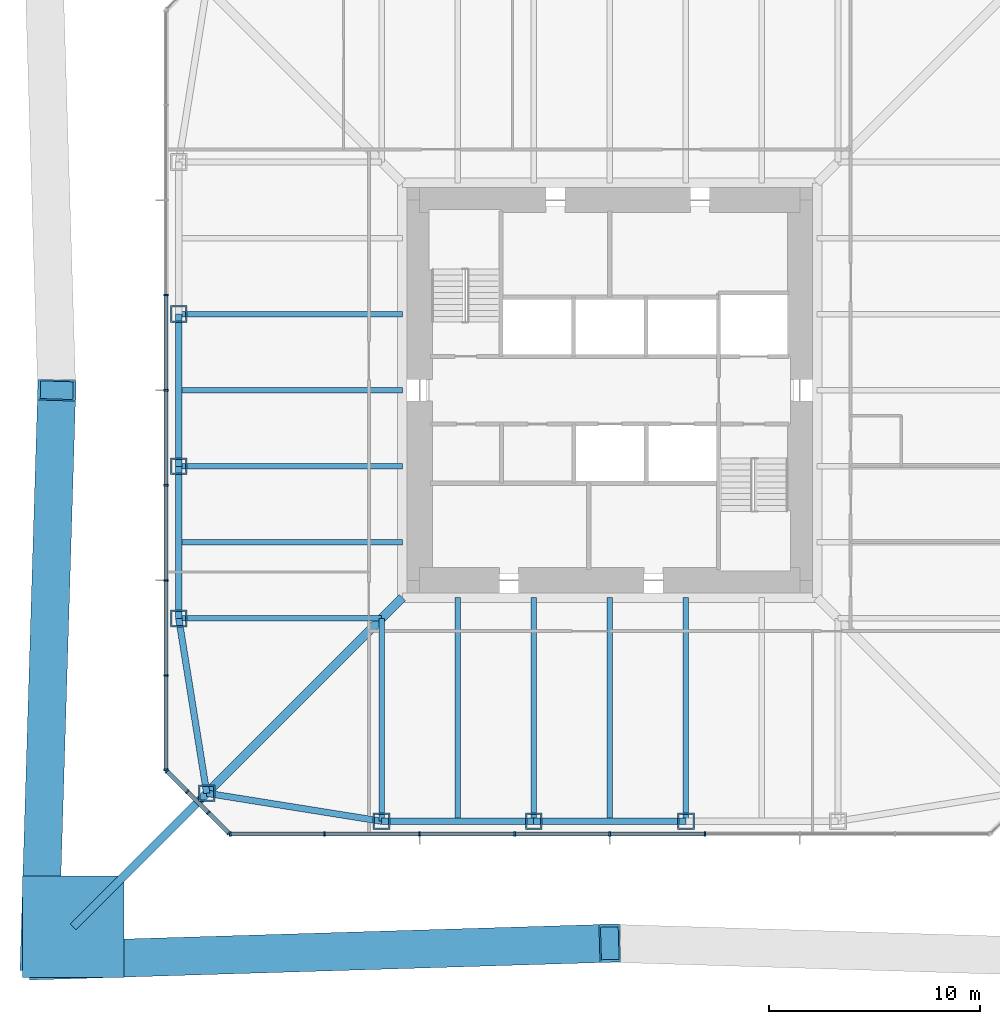
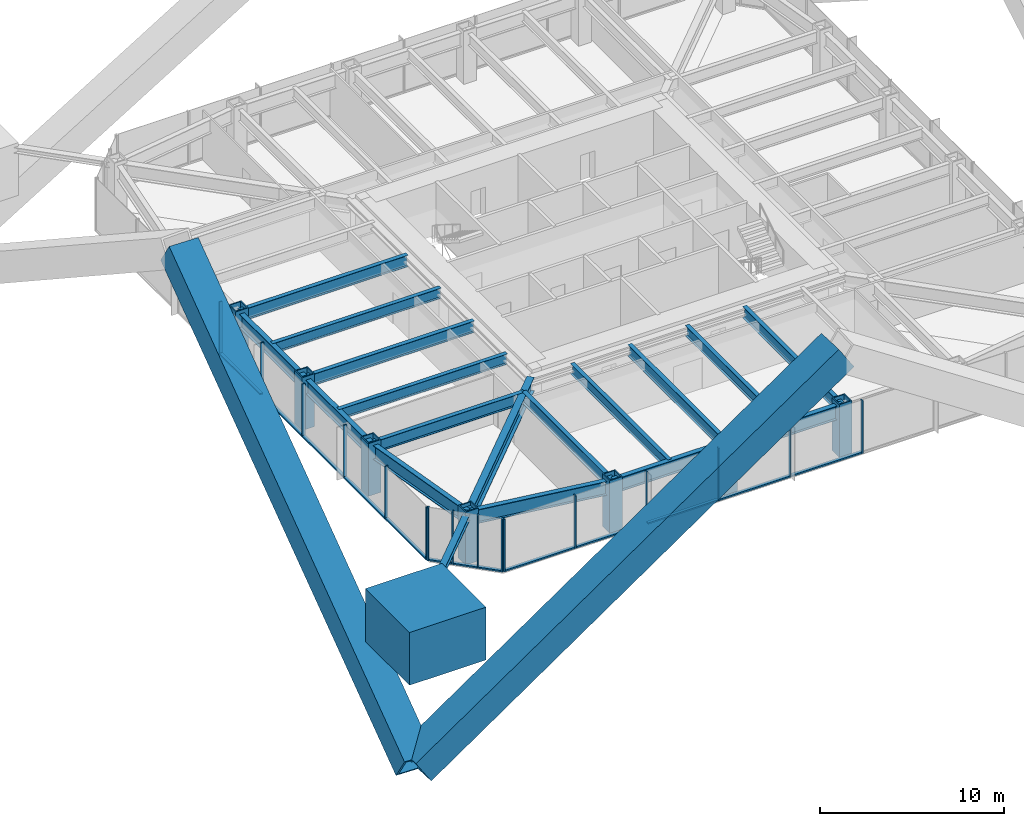
# One storey, part 1 of 21: 40 members, 17 beams, 3 elements without a shape of their own.
"""IFC4 building model written with IfcOpenShell, lengths in metres."""

import ifcopenshell
import ifcopenshell.guid

model = None  # the IFC model being written
_history = None  # IfcOwnerHistory: only IFC2X3 demands one
_inside = {}  # id of a spatial element -> (the spatial element, [elements in it])
_under = {}  # id of a project, library or spatial element -> (it, [spatial elements below it])
_declared = {}  # id of a project -> (the project, [libraries it declares])
_typed = {}  # id of a type object -> (the type object, [elements of that type])
_made_of = {}  # id of a material, layer set ... -> (it, [elements and type objects made of it])


def new_model(schema):
    """Start an empty IFC model of exactly this schema.

    Asked for "IFC4X3", IfcOpenShell would pick the latest addendum, in which some entities
    have other attributes; the version numbers below select the first issue.
    IFC2X3 requires an IfcOwnerHistory on every rooted entity: one is made here for all.
    """
    global model, _history
    if schema == "IFC4X3":
        model = ifcopenshell.file(schema_version=(4, 3, 0, 0))
    else:
        model = ifcopenshell.file(schema=schema)
    _inside.clear()
    _under.clear()
    _declared.clear()
    _typed.clear()
    _made_of.clear()
    _history = None
    if model.schema == "IFC2X3":
        org = make("IfcOrganization", Name="unknown")
        user = make(
            "IfcPersonAndOrganization",
            ThePerson=make("IfcPerson", FamilyName="unknown"),
            TheOrganization=org,
        )
        app = make(
            "IfcApplication",
            ApplicationDeveloper=org,
            Version="unknown",
            ApplicationFullName="unknown",
            ApplicationIdentifier="unknown",
        )
        _history = make(
            "IfcOwnerHistory",
            OwningUser=user,
            OwningApplication=app,
            ChangeAction="ADDED",
            CreationDate=0,
        )
    return model


def make(cls, **values):
    """One entity of the class cls with the attributes given. An attribute that is None is left unset."""
    return model.create_entity(
        cls, **{name: value for name, value in values.items() if value is not None}
    )


def rooted(cls, **values):
    """An entity with a GlobalId (a new one), such as an element, a storey or a relation."""
    return make(cls, GlobalId=ifcopenshell.guid.new(), OwnerHistory=_history, **values)


def si_unit(unit_type, name, prefix=None):
    """IfcSIUnit, for example si_unit("LENGTHUNIT", "METRE", prefix="MILLI")."""
    return make("IfcSIUnit", UnitType=unit_type, Prefix=prefix, Name=name)


def assignment(units):
    """IfcUnitAssignment: the units of a project."""
    return None if units is None else make("IfcUnitAssignment", Units=units)


def point(xyz):
    """IfcCartesianPoint."""
    return None if xyz is None else make("IfcCartesianPoint", Coordinates=xyz)


def direction(xyz):
    """IfcDirection."""
    return None if xyz is None else make("IfcDirection", DirectionRatios=xyz)


def frame(location, z_axis=None, x_axis=None):
    """IfcAxis2Placement3D, a coordinate frame: its origin and axes. An axis left out is left unset."""
    return make(
        "IfcAxis2Placement3D",
        Location=point(location),
        Axis=direction(z_axis),
        RefDirection=direction(x_axis),
    )


def frame_2d(location, x_axis=None):
    """IfcAxis2Placement2D, a coordinate frame in the plane: its origin and x axis."""
    return make(
        "IfcAxis2Placement2D", Location=point(location), RefDirection=direction(x_axis)
    )


def origin():
    """The frame at (0, 0, 0) with its axes left unset."""
    return frame((0.0, 0.0, 0.0))


def origin_2d():
    """The frame at (0, 0) in the plane with its x axis left unset."""
    return frame_2d((0.0, 0.0))


def place(relative_to, where):
    """IfcLocalPlacement: puts the frame where relative to a parent placement (None: the world)."""
    return make(
        "IfcLocalPlacement", PlacementRelTo=relative_to, RelativePlacement=where
    )


def context(
    kind, dimensions, precision=None, world=None, true_north=None, identifier=None
):
    """IfcGeometricRepresentationContext, for example the 3D "Model" context."""
    return make(
        "IfcGeometricRepresentationContext",
        ContextIdentifier=identifier,
        ContextType=kind,
        CoordinateSpaceDimension=dimensions,
        Precision=precision,
        WorldCoordinateSystem=world,
        TrueNorth=true_north,
    )


def subcontext(parent, identifier, kind, view, scale=None):
    """IfcGeometricRepresentationSubContext, for example "Body" below "Model"."""
    return make(
        "IfcGeometricRepresentationSubContext",
        ContextIdentifier=identifier,
        ContextType=kind,
        ParentContext=parent,
        TargetScale=scale,
        TargetView=view,
    )


def project(units=None, contexts=None):
    """IfcProject with its units and contexts."""
    return rooted(
        "IfcProject",
        Name="project",
        RepresentationContexts=contexts,
        UnitsInContext=assignment(units),
    )


def spatial(cls, under=None, at=None, **own):
    """A site, building, storey or space (cls), placed at a placement, below another one or the project."""
    s = rooted(cls, ObjectPlacement=at, **own)
    if under is not None:
        _under.setdefault(under.id(), (under, []))[1].append(s)
    return s


def profile(cls, at=None, kind="AREA", **sizes):
    """A parametric profile (cls). Its sizes go by their IFC names, for example OverallWidth=200.0."""
    return make(cls, ProfileType=kind, Position=at, **sizes)


def rectangle(**sizes):
    """IfcRectangleProfileDef."""
    return profile("IfcRectangleProfileDef", **sizes)


def hollow_rectangle(**sizes):
    """IfcRectangleHollowProfileDef."""
    return profile("IfcRectangleHollowProfileDef", **sizes)


def i_section(**sizes):
    """IfcIShapeProfileDef."""
    return profile("IfcIShapeProfileDef", **sizes)


def extrude(swept, where, along, depth):
    """IfcExtrudedAreaSolid: the profile swept, set in the frame where, extruded along a direction by depth."""
    return make(
        "IfcExtrudedAreaSolid",
        SweptArea=swept,
        Position=where,
        ExtrudedDirection=direction(along),
        Depth=depth,
    )


def shape(context_of_items, identifier, shape_type, items):
    """IfcShapeRepresentation: the items that make up one representation, for example the "Body"."""
    return make(
        "IfcShapeRepresentation",
        ContextOfItems=context_of_items,
        RepresentationIdentifier=identifier,
        RepresentationType=shape_type,
        Items=items,
    )


def material(Name=None, Category=None):
    """IfcMaterial."""
    return make("IfcMaterial", Name=Name, Category=Category)


def material_profile(
    of_material, cross_section, Name=None, Category=None, Priority=None
):
    """IfcMaterialProfile: a cross section and its material."""
    return make(
        "IfcMaterialProfile",
        Name=Name,
        Material=of_material,
        Profile=cross_section,
        Priority=Priority,
        Category=Category,
    )


def profile_set(profiles, Name=None, composite=None):
    """IfcMaterialProfileSet."""
    return make(
        "IfcMaterialProfileSet",
        Name=Name,
        MaterialProfiles=profiles,
        CompositeProfile=composite,
    )


def made_of(thing, what):
    """Note that an element or type object is made of a material, layer set ...; save() writes the relation."""
    if what is not None:
        _made_of.setdefault(what.id(), (what, []))[1].append(thing)
    return thing


def type_object(cls, material=None, **own):
    """A type object (cls), such as IfcWallType, which elements share."""
    return made_of(rooted(cls, **own), material)


def element(
    cls,
    number,
    at=None,
    inside=None,
    cuts=None,
    type_object=None,
    material=None,
    context=None,
    identifier="Body",
    shape_type=None,
    held_by="IfcProductDefinitionShape",
    body=None,
    shapes=None,
    **own,
):
    """One element of the class cls, such as IfcWall. Its Tag is "e" and its number.

    at: its placement. inside: the storey or other place that contains it. cuts: it is an
    opening in that element (IfcRelVoidsElement). A single representation is given by context,
    identifier, shape_type and body (its items); several are given by shapes. held_by: the class
    of the entity that holds the representations. save() writes the other relations.
    """
    e = rooted(cls, Tag="e%d" % number, ObjectPlacement=at, **own)
    if body is not None:
        shapes = [shape(context, identifier, shape_type, body)]
    if shapes is not None:
        e.Representation = make(held_by, Representations=shapes)
    if inside is not None:
        _inside.setdefault(inside.id(), (inside, []))[1].append(e)
    if cuts is not None:
        rooted(
            "IfcRelVoidsElement", RelatingBuildingElement=cuts, RelatedOpeningElement=e
        )
    if type_object is not None:
        _typed.setdefault(type_object.id(), (type_object, []))[1].append(e)
    return made_of(e, material)


def aggregate(whole, parts):
    """IfcRelAggregates: a whole, such as a stair, and the parts it consists of."""
    return rooted("IfcRelAggregates", RelatingObject=whole, RelatedObjects=parts)


def save(model, path):
    """Write the relations noted so far, then the file.

    IfcRelAggregates (storeys below a building ...), IfcRelContainedInSpatialStructure (elements
    in a storey), IfcRelDefinesByType, IfcRelAssociatesMaterial and IfcRelDeclares: one each for
    every whole, place, type object, material and project.
    """
    for whole, parts in _under.values():
        aggregate(whole, parts)
    for where, things in _inside.values():
        rooted(
            "IfcRelContainedInSpatialStructure",
            RelatedElements=things,
            RelatingStructure=where,
        )
    for kind, things in _typed.values():
        rooted("IfcRelDefinesByType", RelatedObjects=things, RelatingType=kind)
    for what, things in _made_of.values():
        rooted("IfcRelAssociatesMaterial", RelatedObjects=things, RelatingMaterial=what)
    for by, libraries in _declared.values():
        rooted("IfcRelDeclares", RelatingContext=by, RelatedDefinitions=libraries)
    model.write(path)


model = new_model("IFC4")

# Units and contexts
model_context = context("Model", 3, precision=1e-05, world=origin(), true_north=direction((0.0, 1.0)))
body_context = subcontext(model_context, "Body", "Model", "MODEL_VIEW")
ifc_project = project(units=[si_unit("LENGTHUNIT", "METRE"), si_unit("AREAUNIT", "SQUARE_METRE"), si_unit("VOLUMEUNIT", "CUBIC_METRE"), si_unit("PLANEANGLEUNIT", "RADIAN"), si_unit("MASSUNIT", "GRAM", prefix="KILO")], contexts=[model_context])

# Site, building, storey
site_placement = place(None, origin())
site = spatial("IfcSite", under=ifc_project, at=site_placement, CompositionType="ELEMENT")
building_placement = place(site_placement, origin())
building = spatial("IfcBuilding", under=site, at=building_placement, Name="Iwan Alto Co-Living Towers", CompositionType="ELEMENT")
storey_placement = place(building_placement, frame((0.0, 0.0, 80.5)))
storey = spatial("IfcBuildingStorey", under=building, at=storey_placement, Name="L21", CompositionType="ELEMENT", Elevation=80.5)

# Curtain wall, members
ifc_material_1 = material(Name="Bronze aluminium unitised frame", Category="aluminium")
curtain_wall_type_1 = type_object("IfcCurtainWallType", Name="CURTAIN WALL CW-A", PredefinedType="NOTDEFINED", material=ifc_material_1)
curtain_wall_1_placement = place(storey_placement, origin())
curtain_wall_1 = element("IfcCurtainWall", 1, at=curtain_wall_1_placement, inside=storey, type_object=curtain_wall_type_1, Name="T1 curtain wall S L21", PredefinedType="NOTDEFINED")
ifc_material_2 = material(Name="Aluminium 6063-T6 bronze anodised", Category="aluminium")
ifc_material_profile_1 = material_profile(ifc_material_2, rectangle(XDim=0.199951171875, YDim=0.080078125, at=origin_2d()), Name="AL 80X200")
ifc_profile_set_1 = profile_set([ifc_material_profile_1], Name="Aluminium 6063-T6 bronze anodised")
member_type_1 = type_object("IfcMemberType", Name="CW-A MULLION 80X200", PredefinedType="MULLION", material=ifc_profile_set_1)
member_1_placement = place(storey_placement, frame((-17.9599609375, -21.0, 0.0), z_axis=(0.0, 0.0, 1.0), x_axis=(0.0, 1.0, 0.0)))
member_1 = element("IfcMember", 2, at=member_1_placement, type_object=member_type_1, Name="CW-A mullion 1", PredefinedType="MULLION", context=body_context, shape_type="SweptSolid", body=[
    extrude(rectangle(XDim=0.199951171875, YDim=0.080078125, at=origin_2d()), origin(), (0.0, 0.0, 1.0), 3.5),
])
member_2_placement = place(storey_placement, frame((-13.5, -21.0, 0.0), z_axis=(0.0, 0.0, 1.0), x_axis=(0.0, 1.0, 0.0)))
member_2 = element("IfcMember", 3, at=member_2_placement, type_object=member_type_1, Name="CW-A mullion 2", PredefinedType="MULLION", context=body_context, shape_type="SweptSolid", body=[
    extrude(rectangle(XDim=0.199951171875, YDim=0.080078125, at=origin_2d()), origin(), (0.0, 0.0, 1.0), 3.5),
])
member_3_placement = place(storey_placement, frame((-9.0, -21.0, 0.0), z_axis=(0.0, 0.0, 1.0), x_axis=(0.0, 1.0, 0.0)))
member_3 = element("IfcMember", 4, at=member_3_placement, type_object=member_type_1, Name="CW-A mullion 3", PredefinedType="MULLION", context=body_context, shape_type="SweptSolid", body=[
    extrude(rectangle(XDim=0.199951171875, YDim=0.080078125, at=origin_2d()), origin(), (0.0, 0.0, 1.0), 3.5),
])
member_4_placement = place(storey_placement, frame((-4.5, -21.0, 0.0), z_axis=(0.0, 0.0, 1.0), x_axis=(0.0, 1.0, 0.0)))
member_4 = element("IfcMember", 5, at=member_4_placement, type_object=member_type_1, Name="CW-A mullion 4", PredefinedType="MULLION", context=body_context, shape_type="SweptSolid", body=[
    extrude(rectangle(XDim=0.199951171875, YDim=0.080078125, at=origin_2d()), origin(), (0.0, 0.0, 1.0), 3.5),
])
member_5_placement = place(storey_placement, frame((0.0, -21.0, 0.0), z_axis=(0.0, 0.0, 1.0), x_axis=(0.0, 1.0, 0.0)))
member_5 = element("IfcMember", 6, at=member_5_placement, type_object=member_type_1, Name="CW-A mullion 5", PredefinedType="MULLION", context=body_context, shape_type="SweptSolid", body=[
    extrude(rectangle(XDim=0.199951171875, YDim=0.080078125, at=origin_2d()), origin(), (0.0, 0.0, 1.0), 3.5),
])
member_6_placement = place(storey_placement, frame((4.5, -21.0, 0.0), z_axis=(0.0, 0.0, 1.0), x_axis=(0.0, 1.0, 0.0)))
member_6 = element("IfcMember", 7, at=member_6_placement, type_object=member_type_1, Name="CW-A mullion 6", PredefinedType="MULLION", context=body_context, shape_type="SweptSolid", body=[
    extrude(rectangle(XDim=0.199951171875, YDim=0.080078125, at=origin_2d()), origin(), (0.0, 0.0, 1.0), 3.5),
])

curtain_wall_2_placement = place(storey_placement, origin())
curtain_wall_2 = element("IfcCurtainWall", 8, at=curtain_wall_2_placement, inside=storey, type_object=curtain_wall_type_1, Name="T1 curtain wall W L21", PredefinedType="NOTDEFINED")
member_7_placement = place(storey_placement, frame((-21.0, 4.5, 0.0), z_axis=(0.0, 0.0, 1.0), x_axis=(1.0, 0.0, 0.0)))
member_7 = element("IfcMember", 9, at=member_7_placement, type_object=member_type_1, Name="CW-A mullion 4", PredefinedType="MULLION", context=body_context, shape_type="SweptSolid", body=[
    extrude(rectangle(XDim=0.199951171875, YDim=0.080078125, at=origin_2d()), origin(), (0.0, 0.0, 1.0), 3.5),
])
member_8_placement = place(storey_placement, frame((-21.0, 0.0, 0.0), z_axis=(0.0, 0.0, 1.0), x_axis=(1.0, 0.0, 0.0)))
member_8 = element("IfcMember", 10, at=member_8_placement, type_object=member_type_1, Name="CW-A mullion 5", PredefinedType="MULLION", context=body_context, shape_type="SweptSolid", body=[
    extrude(rectangle(XDim=0.199951171875, YDim=0.080078125, at=origin_2d()), origin(), (0.0, 0.0, 1.0), 3.5),
])
member_9_placement = place(storey_placement, frame((-21.0, -4.5, 0.0), z_axis=(0.0, 0.0, 1.0), x_axis=(1.0, 0.0, 0.0)))
member_9 = element("IfcMember", 11, at=member_9_placement, type_object=member_type_1, Name="CW-A mullion 6", PredefinedType="MULLION", context=body_context, shape_type="SweptSolid", body=[
    extrude(rectangle(XDim=0.199951171875, YDim=0.080078125, at=origin_2d()), origin(), (0.0, 0.0, 1.0), 3.5),
])
member_10_placement = place(storey_placement, frame((-21.0, -9.0, 0.0), z_axis=(0.0, 0.0, 1.0), x_axis=(1.0, 0.0, 0.0)))
member_10 = element("IfcMember", 12, at=member_10_placement, type_object=member_type_1, Name="CW-A mullion 7", PredefinedType="MULLION", context=body_context, shape_type="SweptSolid", body=[
    extrude(rectangle(XDim=0.199951171875, YDim=0.080078125, at=origin_2d()), origin(), (0.0, 0.0, 1.0), 3.5),
])
member_11_placement = place(storey_placement, frame((-21.0, -13.5, 0.0), z_axis=(0.0, 0.0, 1.0), x_axis=(1.0, 0.0, 0.0)))
member_11 = element("IfcMember", 13, at=member_11_placement, type_object=member_type_1, Name="CW-A mullion 8", PredefinedType="MULLION", context=body_context, shape_type="SweptSolid", body=[
    extrude(rectangle(XDim=0.199951171875, YDim=0.080078125, at=origin_2d()), origin(), (0.0, 0.0, 1.0), 3.5),
])
member_12_placement = place(storey_placement, frame((-21.0, -17.9599609375, 0.0), z_axis=(0.0, 0.0, 1.0), x_axis=(1.0, 0.0, 0.0)))
member_12 = element("IfcMember", 14, at=member_12_placement, type_object=member_type_1, Name="CW-A mullion 9", PredefinedType="MULLION", context=body_context, shape_type="SweptSolid", body=[
    extrude(rectangle(XDim=0.199951171875, YDim=0.080078125, at=origin_2d()), origin(), (0.0, 0.0, 1.0), 3.5),
])

# Member
ifc_material_3 = material(Name="Aluminium 6063-T6 bronze anodised", Category="aluminium")
ifc_material_profile_2 = material_profile(ifc_material_3, rectangle(XDim=0.199951171875, YDim=0.10009765625, at=origin_2d()), Name="AL 200X100")
ifc_profile_set_2 = profile_set([ifc_material_profile_2], Name="Aluminium 6063-T6 bronze anodised")
member_type_2 = type_object("IfcMemberType", Name="CW-A TRANSOM 200X100", PredefinedType="USERDEFINED", material=ifc_profile_set_2)
member_13_placement = place(storey_placement, frame((-17.919921875, -21.0, 0.050048828125), z_axis=(1.0, 0.0, 0.0), x_axis=(0.0, 1.0, 0.0)))
member_13 = element("IfcMember", 15, at=member_13_placement, type_object=member_type_2, Name="CW-A transom 1.1", ObjectType="TRANSOM", PredefinedType="USERDEFINED", context=body_context, shape_type="SweptSolid", body=[
    extrude(rectangle(XDim=0.199951171875, YDim=0.10009765625, at=origin_2d()), origin(), (0.0, 0.0, 1.0), 4.3798828125),
])

member_14_placement = place(storey_placement, frame((-13.4599609375, -21.0, 0.050048828125), z_axis=(1.0, 0.0, 0.0), x_axis=(0.0, 1.0, 0.0)))
member_14 = element("IfcMember", 16, at=member_14_placement, type_object=member_type_2, Name="CW-A transom 2.1", ObjectType="TRANSOM", PredefinedType="USERDEFINED", context=body_context, shape_type="SweptSolid", body=[
    extrude(rectangle(XDim=0.199951171875, YDim=0.10009765625, at=origin_2d()), origin(), (0.0, 0.0, 1.0), 4.419921875),
])

member_15_placement = place(storey_placement, frame((-8.9599609375, -21.0, 0.050048828125), z_axis=(1.0, 0.0, 0.0), x_axis=(0.0, 1.0, 0.0)))
member_15 = element("IfcMember", 17, at=member_15_placement, type_object=member_type_2, Name="CW-A transom 3.1", ObjectType="TRANSOM", PredefinedType="USERDEFINED", context=body_context, shape_type="SweptSolid", body=[
    extrude(rectangle(XDim=0.199951171875, YDim=0.10009765625, at=origin_2d()), origin(), (0.0, 0.0, 1.0), 4.419921875),
])

member_16_placement = place(storey_placement, frame((-4.4599609375, -21.0, 0.050048828125), z_axis=(1.0, 0.0, 0.0), x_axis=(0.0, 1.0, 0.0)))
member_16 = element("IfcMember", 18, at=member_16_placement, type_object=member_type_2, Name="CW-A transom 4.1", ObjectType="TRANSOM", PredefinedType="USERDEFINED", context=body_context, shape_type="SweptSolid", body=[
    extrude(rectangle(XDim=0.199951171875, YDim=0.10009765625, at=origin_2d()), origin(), (0.0, 0.0, 1.0), 4.419921875),
])

member_17_placement = place(storey_placement, frame((0.0400390625, -21.0, 0.050048828125), z_axis=(1.0, 0.0, 0.0), x_axis=(0.0, 1.0, 0.0)))
member_17 = element("IfcMember", 19, at=member_17_placement, type_object=member_type_2, Name="CW-A transom 5.1", ObjectType="TRANSOM", PredefinedType="USERDEFINED", context=body_context, shape_type="SweptSolid", body=[
    extrude(rectangle(XDim=0.199951171875, YDim=0.10009765625, at=origin_2d()), origin(), (0.0, 0.0, 1.0), 4.419921875),
])

aggregate(curtain_wall_1, [member_1, member_2, member_3, member_4, member_5, member_6, member_13, member_14, member_15, member_16, member_17])

member_18_placement = place(storey_placement, frame((-21.0, 4.4599609375, 0.050048828125), z_axis=(0.0, -1.0, 0.0), x_axis=(1.0, 0.0, 0.0)))
member_18 = element("IfcMember", 20, at=member_18_placement, type_object=member_type_2, Name="CW-A transom 4.1", ObjectType="TRANSOM", PredefinedType="USERDEFINED", context=body_context, shape_type="SweptSolid", body=[
    extrude(rectangle(XDim=0.199951171875, YDim=0.10009765625, at=origin_2d()), origin(), (0.0, 0.0, 1.0), 4.419921875),
])

member_19_placement = place(storey_placement, frame((-21.0, -0.0400390625, 0.050048828125), z_axis=(0.0, -1.0, 0.0), x_axis=(1.0, 0.0, 0.0)))
member_19 = element("IfcMember", 21, at=member_19_placement, type_object=member_type_2, Name="CW-A transom 5.1", ObjectType="TRANSOM", PredefinedType="USERDEFINED", context=body_context, shape_type="SweptSolid", body=[
    extrude(rectangle(XDim=0.199951171875, YDim=0.10009765625, at=origin_2d()), origin(), (0.0, 0.0, 1.0), 4.419921875),
])

member_20_placement = place(storey_placement, frame((-21.0, -4.5400390625, 0.050048828125), z_axis=(0.0, -1.0, 0.0), x_axis=(1.0, 0.0, 0.0)))
member_20 = element("IfcMember", 22, at=member_20_placement, type_object=member_type_2, Name="CW-A transom 6.1", ObjectType="TRANSOM", PredefinedType="USERDEFINED", context=body_context, shape_type="SweptSolid", body=[
    extrude(rectangle(XDim=0.199951171875, YDim=0.10009765625, at=origin_2d()), origin(), (0.0, 0.0, 1.0), 4.419921875),
])

member_21_placement = place(storey_placement, frame((-21.0, -9.0400390625, 0.050048828125), z_axis=(0.0, -1.0, 0.0), x_axis=(1.0, 0.0, 0.0)))
member_21 = element("IfcMember", 23, at=member_21_placement, type_object=member_type_2, Name="CW-A transom 7.1", ObjectType="TRANSOM", PredefinedType="USERDEFINED", context=body_context, shape_type="SweptSolid", body=[
    extrude(rectangle(XDim=0.199951171875, YDim=0.10009765625, at=origin_2d()), origin(), (0.0, 0.0, 1.0), 4.419921875),
])

member_22_placement = place(storey_placement, frame((-21.0, -13.5400390625, 0.050048828125), z_axis=(0.0, -1.0, 0.0), x_axis=(1.0, 0.0, 0.0)))
member_22 = element("IfcMember", 24, at=member_22_placement, type_object=member_type_2, Name="CW-A transom 8.1", ObjectType="TRANSOM", PredefinedType="USERDEFINED", context=body_context, shape_type="SweptSolid", body=[
    extrude(rectangle(XDim=0.199951171875, YDim=0.10009765625, at=origin_2d()), origin(), (0.0, 0.0, 1.0), 4.3798828125),
])

aggregate(curtain_wall_2, [member_7, member_8, member_9, member_10, member_11, member_12, member_18, member_19, member_20, member_21, member_22])

# Curtain wall, members
ifc_material_4 = material(Name="Bronze aluminium unitised frame", Category="aluminium")
curtain_wall_type_2 = type_object("IfcCurtainWallType", Name="CURTAIN WALL CW-B", PredefinedType="NOTDEFINED", material=ifc_material_4)
curtain_wall_3_placement = place(storey_placement, origin())
curtain_wall_3 = element("IfcCurtainWall", 25, at=curtain_wall_3_placement, inside=storey, type_object=curtain_wall_type_2, Name="T1 chamfer curtain wall SW L21", PredefinedType="NOTDEFINED")
ifc_material_5 = material(Name="Aluminium 6063-T6 bronze anodised", Category="aluminium")
ifc_material_profile_3 = material_profile(ifc_material_5, rectangle(XDim=0.199951171875, YDim=0.080078125, at=origin_2d()), Name="AL 80X200")
ifc_profile_set_3 = profile_set([ifc_material_profile_3], Name="Aluminium 6063-T6 bronze anodised")
member_type_3 = type_object("IfcMemberType", Name="CW-B MULLION 80X200", PredefinedType="MULLION", material=ifc_profile_set_3)
member_23_placement = place(storey_placement, frame((-20.9716796875, -18.0283203125, 0.0), z_axis=(0.0, 0.0, 1.0), x_axis=(0.707106781187, 0.707106781187, 0.0)))
member_23 = element("IfcMember", 26, at=member_23_placement, type_object=member_type_3, Name="CW-B mullion 1", PredefinedType="MULLION", context=body_context, shape_type="SweptSolid", body=[
    extrude(rectangle(XDim=0.199951171875, YDim=0.080078125, at=origin_2d()), origin(), (0.0, 0.0, 1.0), 3.5),
])
member_24_placement = place(storey_placement, frame((-20.0, -19.0, 0.0), z_axis=(0.0, 0.0, 1.0), x_axis=(0.707106781187, 0.707106781187, 0.0)))
member_24 = element("IfcMember", 27, at=member_24_placement, type_object=member_type_3, Name="CW-B mullion 2", PredefinedType="MULLION", context=body_context, shape_type="SweptSolid", body=[
    extrude(rectangle(XDim=0.199951171875, YDim=0.080078125, at=origin_2d()), origin(), (0.0, 0.0, 1.0), 3.5),
])
member_25_placement = place(storey_placement, frame((-19.0, -20.0, 0.0), z_axis=(0.0, 0.0, 1.0), x_axis=(0.707106781187, 0.707106781187, 0.0)))
member_25 = element("IfcMember", 28, at=member_25_placement, type_object=member_type_3, Name="CW-B mullion 3", PredefinedType="MULLION", context=body_context, shape_type="SweptSolid", body=[
    extrude(rectangle(XDim=0.199951171875, YDim=0.080078125, at=origin_2d()), origin(), (0.0, 0.0, 1.0), 3.5),
])
member_26_placement = place(storey_placement, frame((-18.0283203125, -20.9716796875, 0.0), z_axis=(0.0, 0.0, 1.0), x_axis=(0.707106781187, 0.707106781187, 0.0)))
member_26 = element("IfcMember", 29, at=member_26_placement, type_object=member_type_3, Name="CW-B mullion 4", PredefinedType="MULLION", context=body_context, shape_type="SweptSolid", body=[
    extrude(rectangle(XDim=0.199951171875, YDim=0.080078125, at=origin_2d()), origin(), (0.0, 0.0, 1.0), 3.5),
])
ifc_material_6 = material(Name="Aluminium 6063-T6 bronze anodised", Category="aluminium")
ifc_material_profile_4 = material_profile(ifc_material_6, rectangle(XDim=0.199951171875, YDim=0.10009765625, at=origin_2d()), Name="AL 200X100")
ifc_profile_set_4 = profile_set([ifc_material_profile_4], Name="Aluminium 6063-T6 bronze anodised")
member_type_4 = type_object("IfcMemberType", Name="CW-B TRANSOM 200X100", PredefinedType="USERDEFINED", material=ifc_profile_set_4)
member_27_placement = place(storey_placement, frame((-20.943359375, -18.056640625, 0.050048828125), z_axis=(0.707106781187, -0.707106781187, 0.0), x_axis=(0.707106781187, 0.707106781187, 0.0)))
member_27 = element("IfcMember", 30, at=member_27_placement, type_object=member_type_4, Name="CW-B transom 1.1", ObjectType="TRANSOM", PredefinedType="USERDEFINED", context=body_context, shape_type="SweptSolid", body=[
    extrude(rectangle(XDim=0.199951171875, YDim=0.10009765625, at=origin_2d()), origin(), (0.0, 0.0, 1.0), 1.2939453125),
])
member_28_placement = place(storey_placement, frame((-19.9716796875, -19.0283203125, 0.050048828125), z_axis=(0.707106781187, -0.707106781187, 0.0), x_axis=(0.707106781187, 0.707106781187, 0.0)))
member_28 = element("IfcMember", 31, at=member_28_placement, type_object=member_type_4, Name="CW-B transom 2.1", ObjectType="TRANSOM", PredefinedType="USERDEFINED", context=body_context, shape_type="SweptSolid", body=[
    extrude(rectangle(XDim=0.199951171875, YDim=0.10009765625, at=origin_2d()), origin(), (0.0, 0.0, 1.0), 1.334228515625),
])
member_29_placement = place(storey_placement, frame((-18.9716796875, -20.0283203125, 0.050048828125), z_axis=(0.707106781187, -0.707106781187, 0.0), x_axis=(0.707106781187, 0.707106781187, 0.0)))
member_29 = element("IfcMember", 32, at=member_29_placement, type_object=member_type_4, Name="CW-B transom 3.1", ObjectType="TRANSOM", PredefinedType="USERDEFINED", context=body_context, shape_type="SweptSolid", body=[
    extrude(rectangle(XDim=0.199951171875, YDim=0.10009765625, at=origin_2d()), origin(), (0.0, 0.0, 1.0), 1.2939453125),
])
aggregate(curtain_wall_3, [member_23, member_24, member_25, member_26, member_27, member_28, member_29])

# Beams
ifc_material_7 = material(Name="Steel ASTM A992 Gr 50", Category="steel")
ifc_material_profile_5 = material_profile(ifc_material_7, i_section(OverallWidth=0.419189453125, OverallDepth=0.927001953125, WebThickness=0.019287109375, FlangeThickness=0.031982421875, at=origin_2d()), Name="W36X231")
ifc_profile_set_5 = profile_set([ifc_material_profile_5], Name="Steel ASTM A992 Gr 50")
beam_type_1 = type_object("IfcBeamType", Name="T1 CORNER GIRDER W36X231", PredefinedType="BEAM", material=ifc_profile_set_5)
beam_1_placement = place(storey_placement, frame((-19.07568359375, -19.07568359375, 2.806396484375), z_axis=(0.707106781187, 0.707106781187, 0.0), x_axis=(-0.707106781187, 0.707106781187, 0.0)))
element("IfcBeam", 33, at=beam_1_placement, inside=storey, type_object=beam_type_1, Name="T1 corner girder CSW L22", PredefinedType="BEAM", context=body_context, shape_type="SweptSolid", body=[
    extrude(i_section(OverallWidth=0.419189453125, OverallDepth=0.927001953125, WebThickness=0.019287109375, FlangeThickness=0.031982421875, at=origin_2d()), origin(), (0.0, 0.0, 1.0), 13.091796875),
])
ifc_material_8 = material(Name="Steel ASTM A992 Gr 50", Category="steel")
ifc_material_profile_6 = material_profile(ifc_material_8, i_section(OverallWidth=0.307373046875, OverallDepth=0.927001953125, WebThickness=0.01953125, FlangeThickness=0.031982421875, at=origin_2d()), Name="W36X194")
ifc_profile_set_6 = profile_set([ifc_material_profile_6], Name="Steel ASTM A992 Gr 50")
beam_type_2 = type_object("IfcBeamType", Name="T1 EDGE BEAM W36X194", PredefinedType="BEAM", material=ifc_profile_set_6)
beam_2_placement = place(storey_placement, frame((-19.07568359375, -19.07568359375, 2.806396484375), z_axis=(0.987438450439, -0.158004134737, 0.0), x_axis=(0.158004134737, 0.987438450439, 0.0)))
element("IfcBeam", 34, at=beam_2_placement, inside=storey, type_object=beam_type_2, Name="T1 edge beam CSW L22", PredefinedType="BEAM", context=body_context, shape_type="SweptSolid", body=[
    extrude(i_section(OverallWidth=0.307373046875, OverallDepth=0.927001953125, WebThickness=0.01953125, FlangeThickness=0.031982421875, at=origin_2d()), origin(), (0.0, 0.0, 1.0), 8.380859375),
])
beam_3_placement = place(storey_placement, frame((-10.800048828125, -20.39990234375, 2.806396484375), z_axis=(1.0, 0.0, 0.0), x_axis=(0.0, 1.0, 0.0)))
element("IfcBeam", 35, at=beam_3_placement, inside=storey, type_object=beam_type_2, Name="T1 edge beam S1 L22", PredefinedType="BEAM", context=body_context, shape_type="SweptSolid", body=[
    extrude(i_section(OverallWidth=0.307373046875, OverallDepth=0.927001953125, WebThickness=0.01953125, FlangeThickness=0.031982421875, at=origin_2d()), origin(), (0.0, 0.0, 1.0), 7.199951171875),
])
for number, where, z_axis, x_axis, name in (
    (36, (-3.60009765625, -20.39990234375, 2.806396484375), (1.0, 0.0, 0.0), (0.0, 1.0, 0.0), "T1 edge beam S2 L22"),
    (37, (-20.39990234375, 3.60009765625, 2.806396484375), (0.0, -1.0, 0.0), (1.0, 0.0, 0.0), "T1 edge beam W2 L22"),
):
    element("IfcBeam", number, at=place(storey_placement, frame(where, z_axis=z_axis, x_axis=x_axis)), inside=storey, type_object=beam_type_2, Name=name, PredefinedType="BEAM", context=body_context, shape_type="SweptSolid", body=[
        extrude(i_section(OverallWidth=0.307373046875, OverallDepth=0.927001953125, WebThickness=0.01953125, FlangeThickness=0.031982421875, at=origin_2d()), origin(), (0.0, 0.0, 1.0), 7.2001953125),
    ])
beam_4_placement = place(storey_placement, frame((-20.39990234375, -3.60009765625, 2.806396484375), z_axis=(0.0, -1.0, 0.0), x_axis=(1.0, 0.0, 0.0)))
element("IfcBeam", 38, at=beam_4_placement, inside=storey, type_object=beam_type_2, Name="T1 edge beam W3 L22", PredefinedType="BEAM", context=body_context, shape_type="SweptSolid", body=[
    extrude(i_section(OverallWidth=0.307373046875, OverallDepth=0.927001953125, WebThickness=0.01953125, FlangeThickness=0.031982421875, at=origin_2d()), origin(), (0.0, 0.0, 1.0), 7.199951171875),
])
beam_5_placement = place(storey_placement, frame((-20.39990234375, -10.800048828125, 2.806396484375), z_axis=(0.158004134737, -0.987438450439, 0.0), x_axis=(0.987438450439, 0.158004134737, 0.0)))
element("IfcBeam", 39, at=beam_5_placement, inside=storey, type_object=beam_type_2, Name="T1 edge beam W4 L22", PredefinedType="BEAM", context=body_context, shape_type="SweptSolid", body=[
    extrude(i_section(OverallWidth=0.307373046875, OverallDepth=0.927001953125, WebThickness=0.01953125, FlangeThickness=0.031982421875, at=origin_2d()), origin(), (0.0, 0.0, 1.0), 8.380859375),
])

# Members
ifc_material_9 = material(Name="Steel ASTM A572 Gr 42", Category="steel")
ifc_material_profile_7 = material_profile(ifc_material_9, hollow_rectangle(XDim=1.800048828125, YDim=1.800048828125, WallThickness=0.1298828125, at=origin_2d()), Name="BOX 1800X1800X130")
ifc_profile_set_7 = profile_set([ifc_material_profile_7], Name="Steel ASTM A572 Gr 42")
member_type_5 = type_object("IfcMemberType", Name="T1 MEGA BRACE BOX 1800X1800X130", PredefinedType="BRACE", material=ifc_profile_set_7)
for number, where, z_axis, x_axis, name in (
    (40, (-27.0, -27.0, -6.0), (0.8386077526, 0.0256074434, 0.544133527842), (-0.03052143643, 0.999534112434, 0.0), "T1 mega brace Z2A S 1 lower"),
    (41, (-27.0, -27.0, -6.0), (0.0256074434, 0.8386077526, 0.544133527842), (-0.999534112434, 0.03052143643, 0.0), "T1 mega brace Z2A W 2 lower"),
):
    element("IfcMember", number, at=place(storey_placement, frame(where, z_axis=z_axis, x_axis=x_axis)), inside=storey, type_object=member_type_5, Name=name, PredefinedType="BRACE", context=body_context, shape_type="SweptSolid", body=[
        extrude(hollow_rectangle(XDim=1.800048828125, YDim=1.800048828125, WallThickness=0.1298828125, at=origin_2d()), origin(), (0.0, 0.0, 1.0), 32.1962890625),
    ])
ifc_material_10 = material(Name="Steel ASTM A992 Gr 50", Category="steel")
ifc_material_profile_8 = material_profile(ifc_material_10, i_section(OverallWidth=0.393798828125, OverallDepth=0.3759765625, WebThickness=0.017333984375, FlangeThickness=0.027587890625, at=origin_2d()), Name="W14X145")
ifc_profile_set_8 = profile_set([ifc_material_profile_8], Name="Steel ASTM A992 Gr 50")
member_type_6 = type_object("IfcMemberType", Name="T1 MEGA COLUMN FLOOR TIE W14X145", PredefinedType="STRUT", material=ifc_profile_set_8)
member_30_placement = place(storey_placement, frame((-25.39990234375, -25.39990234375, 3.08203125), z_axis=(0.707106781187, 0.707106781187, 0.0), x_axis=(-0.707106781187, 0.707106781187, 0.0)))
element("IfcMember", 42, at=member_30_placement, inside=storey, type_object=member_type_6, Name="T1 mega column floor tie SW L22", PredefinedType="STRUT", context=body_context, shape_type="SweptSolid", body=[
    extrude(i_section(OverallWidth=0.393798828125, OverallDepth=0.3759765625, WebThickness=0.017333984375, FlangeThickness=0.027587890625, at=origin_2d()), origin(), (0.0, 0.0, 1.0), 8.94384765625),
])
ifc_material_11 = material(Name="Concrete f'c 70 MPa", Category="concrete")
ifc_material_profile_9 = material_profile(ifc_material_11, rectangle(XDim=4.800048828125, YDim=4.800048828125, at=origin_2d()), Name="RC 4800X4800")
ifc_profile_set_9 = profile_set([ifc_material_profile_9], Name="Concrete f'c 70 MPa")
member_type_7 = type_object("IfcMemberType", Name="T1 MEGA POST AT STEP RC 4800X4800", PredefinedType="MEMBER", material=ifc_profile_set_9)
member_31_placement = place(storey_placement, frame((-25.39990234375, -25.39990234375, 0.0), z_axis=(0.0, 0.0, 1.0), x_axis=(1.0, 0.0, 0.0)))
element("IfcMember", 43, at=member_31_placement, inside=storey, type_object=member_type_7, Name="T1 mega post at step SW L21", PredefinedType="MEMBER", context=body_context, shape_type="SweptSolid", body=[
    extrude(rectangle(XDim=4.800048828125, YDim=4.800048828125, at=origin_2d()), origin(), (0.0, 0.0, 1.0), 3.5),
    extrude(i_section(OverallWidth=0.4775390625, OverallDepth=0.599365234375, WebThickness=0.10009765625, FlangeThickness=0.139892578125, at=origin_2d()), origin(), (0.0, 0.0, 1.0), 3.5),
])

# Beams
ifc_material_12 = material(Name="Steel ASTM A992 Gr 50", Category="steel")
ifc_material_profile_10 = material_profile(ifc_material_12, i_section(OverallWidth=0.2666015625, OverallDepth=0.761962890625, WebThickness=0.014404296875, FlangeThickness=0.021484375, at=origin_2d()), Name="W30X116")
ifc_profile_set_10 = profile_set([ifc_material_profile_10], Name="Steel ASTM A992 Gr 50")
beam_type_3 = type_object("IfcBeamType", Name="T1 RADIAL BEAM W30X116", PredefinedType="BEAM", material=ifc_profile_set_10)
beam_6_placement = place(storey_placement, frame((-10.800048828125, -20.39990234375, 2.888916015625), z_axis=(0.0, 1.0, 0.0), x_axis=(-1.0, 0.0, 0.0)))
element("IfcBeam", 44, at=beam_6_placement, inside=storey, type_object=beam_type_3, Name="T1 radial beam S1 L22", PredefinedType="BEAM", context=body_context, shape_type="SweptSolid", body=[
    extrude(i_section(OverallWidth=0.2666015625, OverallDepth=0.761962890625, WebThickness=0.014404296875, FlangeThickness=0.021484375, at=origin_2d()), origin(), (0.0, 0.0, 1.0), 9.599853515625),
])
for number, where, z_axis, x_axis, name in (
    (45, (-3.60009765625, -20.39990234375, 2.888916015625), (0.0, 1.0, 0.0), (-1.0, 0.0, 0.0), "T1 radial beam S2 L22"),
    (46, (3.60009765625, -20.39990234375, 2.888916015625), (0.0, 1.0, 0.0), (-1.0, 0.0, 0.0), "T1 radial beam S3 L22"),
    (47, (-20.39990234375, 3.60009765625, 2.888916015625), (1.0, 0.0, 0.0), (0.0, 1.0, 0.0), "T1 radial beam W2 L22"),
    (48, (-20.39990234375, -3.60009765625, 2.888916015625), (1.0, 0.0, 0.0), (0.0, 1.0, 0.0), "T1 radial beam W3 L22"),
):
    element("IfcBeam", number, at=place(storey_placement, frame(where, z_axis=z_axis, x_axis=x_axis)), inside=storey, type_object=beam_type_3, Name=name, PredefinedType="BEAM", context=body_context, shape_type="SweptSolid", body=[
        extrude(i_section(OverallWidth=0.2666015625, OverallDepth=0.761962890625, WebThickness=0.014404296875, FlangeThickness=0.021484375, at=origin_2d()), origin(), (0.0, 0.0, 1.0), 10.58154296875),
    ])
beam_7_placement = place(storey_placement, frame((-20.39990234375, -10.800048828125, 2.888916015625), z_axis=(1.0, 0.0, 0.0), x_axis=(0.0, 1.0, 0.0)))
element("IfcBeam", 49, at=beam_7_placement, inside=storey, type_object=beam_type_3, Name="T1 radial beam W4 L22", PredefinedType="BEAM", context=body_context, shape_type="SweptSolid", body=[
    extrude(i_section(OverallWidth=0.2666015625, OverallDepth=0.761962890625, WebThickness=0.014404296875, FlangeThickness=0.021484375, at=origin_2d()), origin(), (0.0, 0.0, 1.0), 9.599853515625),
])

# Members
ifc_material_13 = material(Name="Steel ASTM A572 Gr 50", Category="steel")
ifc_material_profile_11 = material_profile(ifc_material_13, hollow_rectangle(XDim=0.800048828125, YDim=0.800048828125, WallThickness=0.070068359375, at=origin_2d()), Name="BOX 800X800X70")
ifc_profile_set_11 = profile_set([ifc_material_profile_11], Name="Steel ASTM A572 Gr 50")
member_type_8 = type_object("IfcMemberType", Name="T1 RING POST AT STEP BOX 800X800X70", PredefinedType="MEMBER", material=ifc_profile_set_11)
for number, where, z_axis, x_axis, name in (
    (50, (-19.07568359375, -19.07568359375, 0.0), (0.0, 0.0, 1.0), (1.0, 0.0, 0.0), "T1 ring post at step CSW L21"),
    (51, (-10.800048828125, -20.39990234375, 0.0), (0.0, 0.0, 1.0), (1.0, 0.0, 0.0), "T1 ring post at step S1 L21"),
    (52, (-3.60009765625, -20.39990234375, 0.0), (0.0, 0.0, 1.0), (1.0, 0.0, 0.0), "T1 ring post at step S2 L21"),
    (53, (3.60009765625, -20.39990234375, 0.0), (0.0, 0.0, 1.0), (1.0, 0.0, 0.0), "T1 ring post at step S3 L21"),
    (54, (-20.39990234375, 3.60009765625, 0.0), (0.0, 0.0, 1.0), (1.0, 0.0, 0.0), "T1 ring post at step W2 L21"),
    (55, (-20.39990234375, -3.60009765625, 0.0), (0.0, 0.0, 1.0), (1.0, 0.0, 0.0), "T1 ring post at step W3 L21"),
    (56, (-20.39990234375, -10.800048828125, 0.0), (0.0, 0.0, 1.0), (1.0, 0.0, 0.0), "T1 ring post at step W4 L21"),
):
    element("IfcMember", number, at=place(storey_placement, frame(where, z_axis=z_axis, x_axis=x_axis)), inside=storey, type_object=member_type_8, Name=name, PredefinedType="MEMBER", context=body_context, shape_type="SweptSolid", body=[
        extrude(hollow_rectangle(XDim=0.800048828125, YDim=0.800048828125, WallThickness=0.070068359375, at=origin_2d()), origin(), (0.0, 0.0, 1.0), 3.5),
    ])

# Beams
ifc_material_14 = material(Name="Steel ASTM A992 Gr 50", Category="steel")
ifc_material_profile_12 = material_profile(ifc_material_14, i_section(OverallWidth=0.25390625, OverallDepth=0.683349609375, WebThickness=0.012451171875, FlangeThickness=0.018798828125, at=origin_2d()), Name="W27X94")
ifc_profile_set_12 = profile_set([ifc_material_profile_12], Name="Steel ASTM A992 Gr 50")
beam_type_4 = type_object("IfcBeamType", Name="T1 SECONDARY BEAM W27X94", PredefinedType="JOIST", material=ifc_profile_set_12)
for number, where, z_axis, x_axis, name in (
    (57, (-7.199951171875, -20.39990234375, 2.928466796875), (0.0, 1.0, 0.0), (-1.0, 0.0, 0.0), "T1 secondary beam S1 L22"),
    (58, (0.0, -20.39990234375, 2.928466796875), (0.0, 1.0, 0.0), (-1.0, 0.0, 0.0), "T1 secondary beam S2 L22"),
    (59, (-20.39990234375, 0.0, 2.928466796875), (1.0, 0.0, 0.0), (0.0, 1.0, 0.0), "T1 secondary beam W2 L22"),
    (60, (-20.39990234375, -7.199951171875, 2.928466796875), (1.0, 0.0, 0.0), (0.0, 1.0, 0.0), "T1 secondary beam W3 L22"),
):
    element("IfcBeam", number, at=place(storey_placement, frame(where, z_axis=z_axis, x_axis=x_axis)), inside=storey, type_object=beam_type_4, Name=name, PredefinedType="JOIST", context=body_context, shape_type="SweptSolid", body=[
        extrude(i_section(OverallWidth=0.25390625, OverallDepth=0.683349609375, WebThickness=0.012451171875, FlangeThickness=0.018798828125, at=origin_2d()), origin(), (0.0, 0.0, 1.0), 10.58154296875),
    ])

save(model, "model.ifc")
